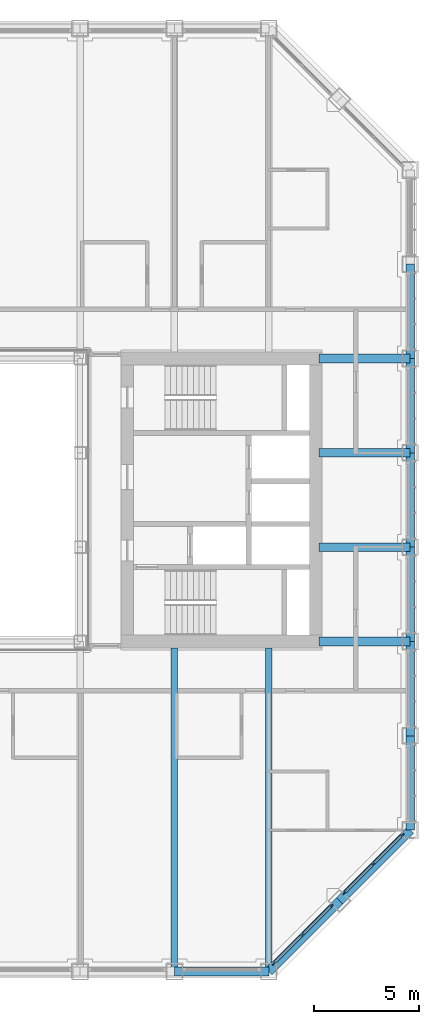
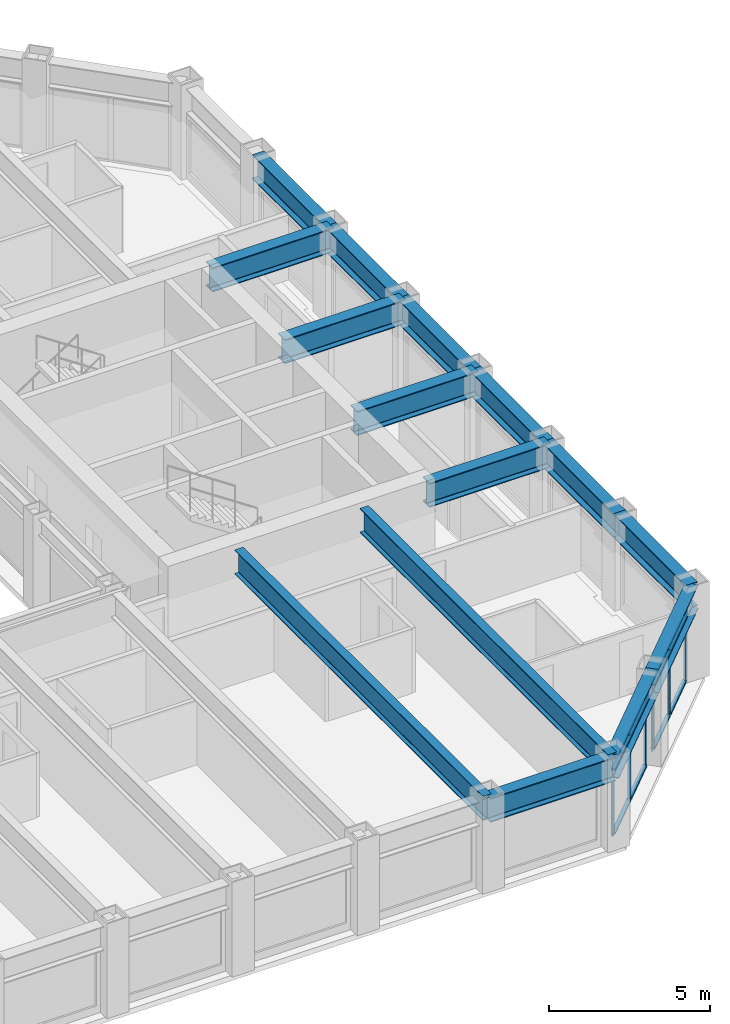
# One storey, part 6 of 17: 15 beams, 14 members, 2 elements without a shape of their own.
"""IFC4 building model written with IfcOpenShell, lengths in metres."""

from ifc_helpers import new_model, si_unit, direction, frame, origin, origin_2d, place, context, subcontext, project, spatial, rectangle, i_section, extrude, material, material_profile, profile_set, type_object, element, aggregate, save


model = new_model("IFC4")

# Units and contexts
model_context = context("Model", 3, precision=1e-05, world=origin(), true_north=direction((0.0, 1.0)))
body_context = subcontext(model_context, "Body", "Model", "MODEL_VIEW")
ifc_project = project(units=[si_unit("LENGTHUNIT", "METRE"), si_unit("AREAUNIT", "SQUARE_METRE"), si_unit("VOLUMEUNIT", "CUBIC_METRE"), si_unit("PLANEANGLEUNIT", "RADIAN"), si_unit("MASSUNIT", "GRAM", prefix="KILO")], contexts=[model_context])

# Site, building, storey
site_placement = place(None, origin())
site = spatial("IfcSite", under=ifc_project, at=site_placement, CompositionType="ELEMENT")
building_placement = place(site_placement, origin())
building = spatial("IfcBuilding", under=site, at=building_placement, Name="Msasa Ring Tower", CompositionType="ELEMENT")
storey_placement = place(building_placement, frame((0.0, 0.0, 150.800048828125)))
storey = spatial("IfcBuildingStorey", under=building, at=storey_placement, Name="L39", CompositionType="ELEMENT", Elevation=150.800048828125)

# Curtain wall, members
ifc_material_1 = material(Name="Aluminium curtain wall with clear glass", Category="aluminium")
curtain_wall_type = type_object("IfcCurtainWallType", Name="CW-C CHAMFER CORNER CURTAIN WALL", PredefinedType="NOTDEFINED", material=ifc_material_1)
curtain_wall_1_placement = place(storey_placement, origin())
curtain_wall_1 = element("IfcCurtainWall", 1, at=curtain_wall_1_placement, inside=storey, type_object=curtain_wall_type, Name="Chamfer corner curtain wall SE L39", PredefinedType="NOTDEFINED")
ifc_material_2 = material(Name="Aluminium mullion", Category="aluminium")
ifc_material_profile_1 = material_profile(ifc_material_2, rectangle(XDim=0.06494140625, YDim=0.179931640625, at=origin_2d()), Name="AL 65x180")
ifc_profile_set_1 = profile_set([ifc_material_profile_1], Name="Aluminium mullion")
member_type_1 = type_object("IfcMemberType", Name="CW-C MULLION 65x180", PredefinedType="MULLION", material=ifc_profile_set_1)
member_1_placement = place(storey_placement, frame((15.98876953125, -22.119873046875, 0.0), z_axis=(0.0, 0.0, 1.0), x_axis=(-0.707106781187, 0.707106781187, 0.0)))
member_1 = element("IfcMember", 2, at=member_1_placement, type_object=member_type_1, Name="CW-C mullion 1", PredefinedType="MULLION", context=body_context, shape_type="SweptSolid", body=[
    extrude(rectangle(XDim=0.06494140625, YDim=0.179931640625, at=origin_2d()), origin(), (0.0, 0.0, 1.0), 2.47900390625),
])
member_2_placement = place(storey_placement, frame((17.36669921875, -20.74169921875, 0.0), z_axis=(0.0, 0.0, 1.0), x_axis=(-0.707106781187, 0.707106781187, 0.0)))
member_2 = element("IfcMember", 3, at=member_2_placement, type_object=member_type_1, Name="CW-C mullion 2", PredefinedType="MULLION", context=body_context, shape_type="SweptSolid", body=[
    extrude(rectangle(XDim=0.06494140625, YDim=0.179931640625, at=origin_2d()), origin(), (0.0, 0.0, 1.0), 2.47900390625),
])
member_3_placement = place(storey_placement, frame((18.744873046875, -19.36376953125, 0.0), z_axis=(0.0, 0.0, 1.0), x_axis=(-0.707106781187, 0.707106781187, 0.0)))
member_3 = element("IfcMember", 4, at=member_3_placement, type_object=member_type_1, Name="CW-C mullion 3", PredefinedType="MULLION", context=body_context, shape_type="SweptSolid", body=[
    extrude(rectangle(XDim=0.06494140625, YDim=0.179931640625, at=origin_2d()), origin(), (0.0, 0.0, 1.0), 2.47900390625),
])

curtain_wall_2_placement = place(storey_placement, origin())
curtain_wall_2 = element("IfcCurtainWall", 5, at=curtain_wall_2_placement, inside=storey, type_object=curtain_wall_type, Name="Chamfer corner curtain wall SE L39", PredefinedType="NOTDEFINED")
member_4_placement = place(storey_placement, frame((19.36376953125, -18.744873046875, 0.0), z_axis=(0.0, 0.0, 1.0), x_axis=(-0.707106781187, 0.707106781187, 0.0)))
member_4 = element("IfcMember", 6, at=member_4_placement, type_object=member_type_1, Name="CW-C mullion 1", PredefinedType="MULLION", context=body_context, shape_type="SweptSolid", body=[
    extrude(rectangle(XDim=0.06494140625, YDim=0.179931640625, at=origin_2d()), origin(), (0.0, 0.0, 1.0), 2.47900390625),
])
member_5_placement = place(storey_placement, frame((20.74169921875, -17.36669921875, 0.0), z_axis=(0.0, 0.0, 1.0), x_axis=(-0.707106781187, 0.707106781187, 0.0)))
member_5 = element("IfcMember", 7, at=member_5_placement, type_object=member_type_1, Name="CW-C mullion 2", PredefinedType="MULLION", context=body_context, shape_type="SweptSolid", body=[
    extrude(rectangle(XDim=0.06494140625, YDim=0.179931640625, at=origin_2d()), origin(), (0.0, 0.0, 1.0), 2.47900390625),
])
member_6_placement = place(storey_placement, frame((22.119873046875, -15.98876953125, 0.0), z_axis=(0.0, 0.0, 1.0), x_axis=(-0.707106781187, 0.707106781187, 0.0)))
member_6 = element("IfcMember", 8, at=member_6_placement, type_object=member_type_1, Name="CW-C mullion 3", PredefinedType="MULLION", context=body_context, shape_type="SweptSolid", body=[
    extrude(rectangle(XDim=0.06494140625, YDim=0.179931640625, at=origin_2d()), origin(), (0.0, 0.0, 1.0), 2.47900390625),
])

# Member
ifc_material_3 = material(Name="Aluminium transom", Category="aluminium")
ifc_material_profile_2 = material_profile(ifc_material_3, rectangle(XDim=0.139892578125, YDim=0.06494140625, at=origin_2d()), Name="AL 65x140")
ifc_profile_set_2 = profile_set([ifc_material_profile_2], Name="Aluminium transom")
member_type_2 = type_object("IfcMemberType", Name="CW-C TRANSOM 65x140", PredefinedType="USERDEFINED", material=ifc_profile_set_2)
member_7_placement = place(storey_placement, frame((16.01171875, -22.096923828125, 0.032470703125), z_axis=(0.707106781187, 0.707106781187, 0.0), x_axis=(-0.707106781187, 0.707106781187, 0.0)))
member_7 = element("IfcMember", 9, at=member_7_placement, type_object=member_type_2, Name="CW-C transom 1.1", ObjectType="TRANSOM", PredefinedType="USERDEFINED", context=body_context, shape_type="SweptSolid", body=[
    extrude(rectangle(XDim=0.139892578125, YDim=0.06494140625, at=origin_2d()), origin(), (0.0, 0.0, 1.0), 1.8837890625),
])

member_8_placement = place(storey_placement, frame((16.01171875, -22.096923828125, 2.446533203125), z_axis=(0.707106781187, 0.707106781187, 0.0), x_axis=(-0.707106781187, 0.707106781187, 0.0)))
member_8 = element("IfcMember", 10, at=member_8_placement, type_object=member_type_2, Name="CW-C transom 1.2", ObjectType="TRANSOM", PredefinedType="USERDEFINED", context=body_context, shape_type="SweptSolid", body=[
    extrude(rectangle(XDim=0.139892578125, YDim=0.06494140625, at=origin_2d()), origin(), (0.0, 0.0, 1.0), 1.8837890625),
])

member_9_placement = place(storey_placement, frame((17.389892578125, -20.71875, 0.032470703125), z_axis=(0.707106781187, 0.707106781187, 0.0), x_axis=(-0.707106781187, 0.707106781187, 0.0)))
member_9 = element("IfcMember", 11, at=member_9_placement, type_object=member_type_2, Name="CW-C transom 2.1", ObjectType="TRANSOM", PredefinedType="USERDEFINED", context=body_context, shape_type="SweptSolid", body=[
    extrude(rectangle(XDim=0.139892578125, YDim=0.06494140625, at=origin_2d()), origin(), (0.0, 0.0, 1.0), 1.8837890625),
])

member_10_placement = place(storey_placement, frame((17.389892578125, -20.71875, 2.446533203125), z_axis=(0.707106781187, 0.707106781187, 0.0), x_axis=(-0.707106781187, 0.707106781187, 0.0)))
member_10 = element("IfcMember", 12, at=member_10_placement, type_object=member_type_2, Name="CW-C transom 2.2", ObjectType="TRANSOM", PredefinedType="USERDEFINED", context=body_context, shape_type="SweptSolid", body=[
    extrude(rectangle(XDim=0.139892578125, YDim=0.06494140625, at=origin_2d()), origin(), (0.0, 0.0, 1.0), 1.8837890625),
])

aggregate(curtain_wall_1, [member_1, member_2, member_3, member_7, member_8, member_9, member_10])

member_11_placement = place(storey_placement, frame((19.38671875, -18.721923828125, 0.032470703125), z_axis=(0.707106781187, 0.707106781187, 0.0), x_axis=(-0.707106781187, 0.707106781187, 0.0)))
member_11 = element("IfcMember", 13, at=member_11_placement, type_object=member_type_2, Name="CW-C transom 1.1", ObjectType="TRANSOM", PredefinedType="USERDEFINED", context=body_context, shape_type="SweptSolid", body=[
    extrude(rectangle(XDim=0.139892578125, YDim=0.06494140625, at=origin_2d()), origin(), (0.0, 0.0, 1.0), 1.8837890625),
])

member_12_placement = place(storey_placement, frame((19.38671875, -18.721923828125, 2.446533203125), z_axis=(0.707106781187, 0.707106781187, 0.0), x_axis=(-0.707106781187, 0.707106781187, 0.0)))
member_12 = element("IfcMember", 14, at=member_12_placement, type_object=member_type_2, Name="CW-C transom 1.2", ObjectType="TRANSOM", PredefinedType="USERDEFINED", context=body_context, shape_type="SweptSolid", body=[
    extrude(rectangle(XDim=0.139892578125, YDim=0.06494140625, at=origin_2d()), origin(), (0.0, 0.0, 1.0), 1.8837890625),
])

member_13_placement = place(storey_placement, frame((20.764892578125, -17.34375, 0.032470703125), z_axis=(0.707106781187, 0.707106781187, 0.0), x_axis=(-0.707106781187, 0.707106781187, 0.0)))
member_13 = element("IfcMember", 15, at=member_13_placement, type_object=member_type_2, Name="CW-C transom 2.1", ObjectType="TRANSOM", PredefinedType="USERDEFINED", context=body_context, shape_type="SweptSolid", body=[
    extrude(rectangle(XDim=0.139892578125, YDim=0.06494140625, at=origin_2d()), origin(), (0.0, 0.0, 1.0), 1.8837890625),
])

member_14_placement = place(storey_placement, frame((20.764892578125, -17.34375, 2.446533203125), z_axis=(0.707106781187, 0.707106781187, 0.0), x_axis=(-0.707106781187, 0.707106781187, 0.0)))
member_14 = element("IfcMember", 16, at=member_14_placement, type_object=member_type_2, Name="CW-C transom 2.2", ObjectType="TRANSOM", PredefinedType="USERDEFINED", context=body_context, shape_type="SweptSolid", body=[
    extrude(rectangle(XDim=0.139892578125, YDim=0.06494140625, at=origin_2d()), origin(), (0.0, 0.0, 1.0), 1.8837890625),
])

aggregate(curtain_wall_2, [member_4, member_5, member_6, member_11, member_12, member_13, member_14])

# Beams
ifc_material_4 = material(Name="Steel S355", Category="steel")
ifc_material_profile_3 = material_profile(ifc_material_4, i_section(OverallWidth=0.42041015625, OverallDepth=0.9208984375, WebThickness=0.021484375, FlangeThickness=0.03662109375, FilletRadius=0.024169921875, at=origin_2d()), Name="UB 914x419x388")
ifc_profile_set_3 = profile_set([ifc_material_profile_3], Name="Steel S355")
beam_type_1 = type_object("IfcBeamType", Name="FB2 UB 914x419x388", PredefinedType="BEAM", material=ifc_profile_set_3)
for number, where, z_axis, x_axis, name in (
    (17, (22.5, -2.25, 2.939453125), (-1.0, 0.0, 0.0), (0.0, -1.0, 0.0), "Floor beam E -2.25 under L40"),
    (18, (22.5, 2.25, 2.939453125), (-1.0, 0.0, 0.0), (0.0, -1.0, 0.0), "Floor beam E +2.25 under L40"),
):
    element("IfcBeam", number, at=place(storey_placement, frame(where, z_axis=z_axis, x_axis=x_axis)), inside=storey, type_object=beam_type_1, Name=name, PredefinedType="BEAM", context=body_context, shape_type="SweptSolid", body=[
        extrude(i_section(OverallWidth=0.42041015625, OverallDepth=0.9208984375, WebThickness=0.021484375, FlangeThickness=0.03662109375, FilletRadius=0.024169921875, at=origin_2d()), origin(), (0.0, 0.0, 1.0), 4.35009765625),
    ])
ifc_material_5 = material(Name="Steel S355", Category="steel")
ifc_material_profile_4 = material_profile(ifc_material_5, i_section(OverallWidth=0.3076171875, OverallDepth=0.926513671875, WebThickness=0.01953125, FlangeThickness=0.031982421875, FilletRadius=0.01904296875, at=origin_2d()), Name="UB 914x305x289")
ifc_profile_set_4 = profile_set([ifc_material_profile_4], Name="Steel S355")
beam_type_2 = type_object("IfcBeamType", Name="FB3 UB 914x305x289", PredefinedType="BEAM", material=ifc_profile_set_4)
for number, where, z_axis, x_axis, name in (
    (19, (11.25, -22.5, 2.936767578125), (0.0, 1.0, 0.0), (-1.0, 0.0, 0.0), "Floor beam S+11.25 under L40"),
    (20, (15.75, -22.5, 2.936767578125), (0.0, 1.0, 0.0), (-1.0, 0.0, 0.0), "Floor beam S+15.75 under L40"),
):
    element("IfcBeam", number, at=place(storey_placement, frame(where, z_axis=z_axis, x_axis=x_axis)), inside=storey, type_object=beam_type_2, Name=name, PredefinedType="BEAM", context=body_context, shape_type="SweptSolid", body=[
        extrude(i_section(OverallWidth=0.3076171875, OverallDepth=0.926513671875, WebThickness=0.01953125, FlangeThickness=0.031982421875, FilletRadius=0.01904296875, at=origin_2d()), origin(), (0.0, 0.0, 1.0), 15.449951171875),
    ])
ifc_material_6 = material(Name="Steel S355", Category="steel")
ifc_material_profile_5 = material_profile(ifc_material_6, i_section(OverallWidth=0.42041015625, OverallDepth=0.9208984375, WebThickness=0.021484375, FlangeThickness=0.03662109375, FilletRadius=0.024169921875, at=origin_2d()), Name="UB 914x419x388")
ifc_profile_set_5 = profile_set([ifc_material_profile_5], Name="Steel S355")
beam_type_3 = type_object("IfcBeamType", Name="GB1 UB 914x419x388", PredefinedType="BEAM", material=ifc_profile_set_5)
for number, where, z_axis, x_axis, name in (
    (21, (18.14990234375, 6.75, 2.939453125), (1.0, 0.0, 0.0), (0.0, 1.0, 0.0), "Girder E +6.75 under L40"),
    (22, (18.14990234375, -6.75, 2.939453125), (1.0, 0.0, 0.0), (0.0, 1.0, 0.0), "Girder E -6.75 under L40"),
):
    element("IfcBeam", number, at=place(storey_placement, frame(where, z_axis=z_axis, x_axis=x_axis)), inside=storey, type_object=beam_type_3, Name=name, PredefinedType="BEAM", context=body_context, shape_type="SweptSolid", body=[
        extrude(i_section(OverallWidth=0.42041015625, OverallDepth=0.9208984375, WebThickness=0.021484375, FlangeThickness=0.03662109375, FilletRadius=0.024169921875, at=origin_2d()), origin(), (0.0, 0.0, 1.0), 4.35009765625),
    ])
ifc_material_7 = material(Name="Steel S355", Category="steel")
ifc_material_profile_6 = material_profile(ifc_material_7, i_section(OverallWidth=0.42041015625, OverallDepth=0.9208984375, WebThickness=0.021484375, FlangeThickness=0.03662109375, FilletRadius=0.024169921875, at=origin_2d()), Name="UB 914x419x388")
ifc_profile_set_6 = profile_set([ifc_material_profile_6], Name="Steel S355")
beam_type_4 = type_object("IfcBeamType", Name="SB1 UB 914x419x388", PredefinedType="SPANDREL", material=ifc_profile_set_6)
beam_placement = place(storey_placement, frame((11.25, -22.5, 2.939453125), z_axis=(1.0, 0.0, 0.0), x_axis=(0.0, 1.0, 0.0)))
element("IfcBeam", 23, at=beam_placement, inside=storey, type_object=beam_type_4, Name="Spandrel S+11.25 to S+15.75 under L40", PredefinedType="SPANDREL", context=body_context, shape_type="SweptSolid", body=[
    extrude(i_section(OverallWidth=0.42041015625, OverallDepth=0.9208984375, WebThickness=0.021484375, FlangeThickness=0.03662109375, FilletRadius=0.024169921875, at=origin_2d()), origin(), (0.0, 0.0, 1.0), 4.5),
])
for number, where, z_axis, x_axis, name in (
    (24, (15.75, -22.5, 2.939453125), (0.707106781187, 0.707106781187, 0.0), (-0.707106781187, 0.707106781187, 0.0), "Spandrel S+15.75 to SE under L40"),
    (25, (19.125, -19.125, 2.939453125), (0.707106781187, 0.707106781187, 0.0), (-0.707106781187, 0.707106781187, 0.0), "Spandrel SE to E-15.75 under L40"),
):
    element("IfcBeam", number, at=place(storey_placement, frame(where, z_axis=z_axis, x_axis=x_axis)), inside=storey, type_object=beam_type_4, Name=name, PredefinedType="SPANDREL", context=body_context, shape_type="SweptSolid", body=[
        extrude(i_section(OverallWidth=0.42041015625, OverallDepth=0.9208984375, WebThickness=0.021484375, FlangeThickness=0.03662109375, FilletRadius=0.024169921875, at=origin_2d()), origin(), (0.0, 0.0, 1.0), 4.77294921875),
    ])
for number, where, z_axis, x_axis, name in (
    (26, (22.5, -15.75, 2.939453125), (0.0, 1.0, 0.0), (-1.0, 0.0, 0.0), "Spandrel E-15.75 to E-11.25 under L40"),
    (27, (22.5, -11.25, 2.939453125), (0.0, 1.0, 0.0), (-1.0, 0.0, 0.0), "Spandrel E-11.25 to E-6.75 under L40"),
    (28, (22.5, -6.75, 2.939453125), (0.0, 1.0, 0.0), (-1.0, 0.0, 0.0), "Spandrel E-6.75 to E-2.25 under L40"),
    (29, (22.5, -2.25, 2.939453125), (0.0, 1.0, 0.0), (-1.0, 0.0, 0.0), "Spandrel E-2.25 to E+2.25 under L40"),
    (30, (22.5, 2.25, 2.939453125), (0.0, 1.0, 0.0), (-1.0, 0.0, 0.0), "Spandrel E+2.25 to E+6.75 under L40"),
    (31, (22.5, 6.75, 2.939453125), (0.0, 1.0, 0.0), (-1.0, 0.0, 0.0), "Spandrel E+6.75 to E+11.25 under L40"),
):
    element("IfcBeam", number, at=place(storey_placement, frame(where, z_axis=z_axis, x_axis=x_axis)), inside=storey, type_object=beam_type_4, Name=name, PredefinedType="SPANDREL", context=body_context, shape_type="SweptSolid", body=[
        extrude(i_section(OverallWidth=0.42041015625, OverallDepth=0.9208984375, WebThickness=0.021484375, FlangeThickness=0.03662109375, FilletRadius=0.024169921875, at=origin_2d()), origin(), (0.0, 0.0, 1.0), 4.5),
    ])

save(model, "model.ifc")
